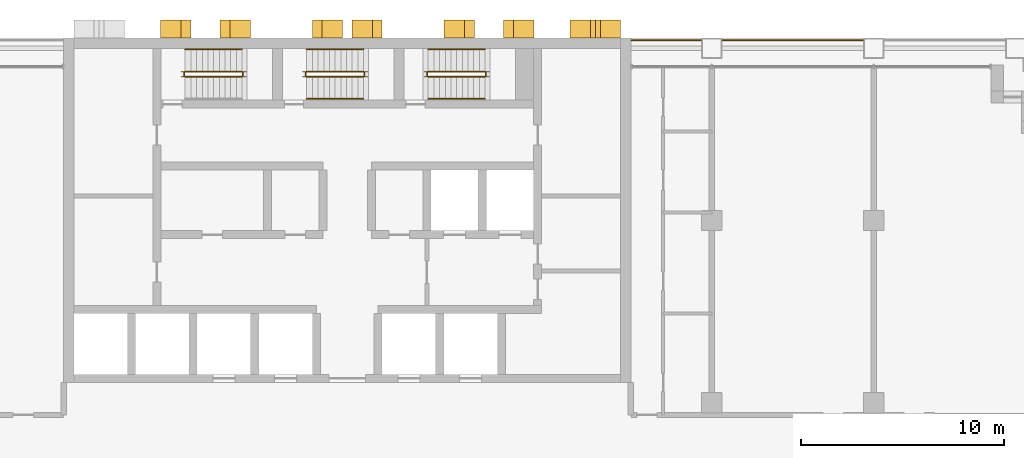
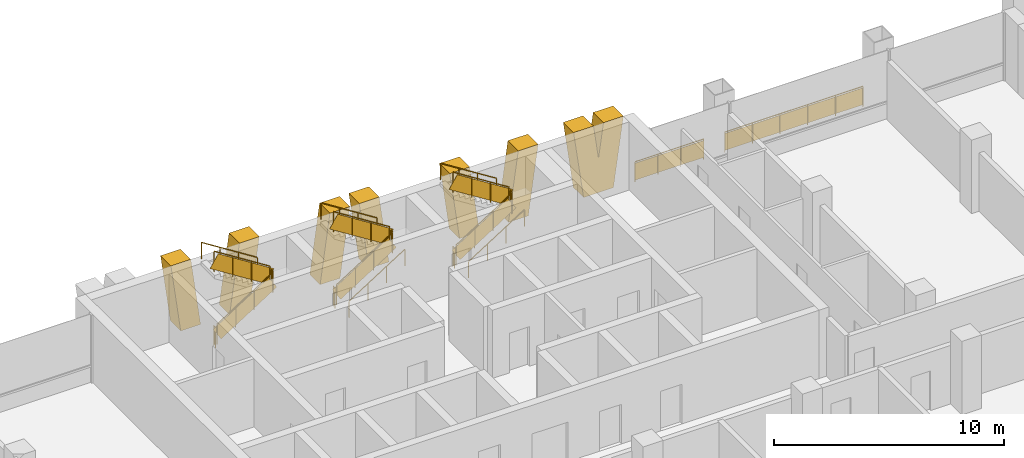
# One storey, part 12 of 13: 19 railings, 7 shading devices.
"""IFC4 building model written with IfcOpenShell, lengths in metres."""

from ifc_helpers import new_model, si_unit, direction, frame, origin, origin_2d, place, context, subcontext, project, spatial, polyline, rectangle, circle, outline, extrude, material, layer, layer_set, type_object, element, save


model = new_model("IFC4")

# Units and contexts
model_context = context("Model", 3, precision=1e-05, world=origin(), true_north=direction((0.0, 1.0)))
body_context = subcontext(model_context, "Body", "Model", "MODEL_VIEW")
ifc_project = project(units=[si_unit("LENGTHUNIT", "METRE"), si_unit("AREAUNIT", "SQUARE_METRE"), si_unit("VOLUMEUNIT", "CUBIC_METRE"), si_unit("PLANEANGLEUNIT", "RADIAN"), si_unit("MASSUNIT", "GRAM", prefix="KILO")], contexts=[model_context])

# Site, building, storey
site_placement = place(None, origin())
site = spatial("IfcSite", under=ifc_project, at=site_placement, CompositionType="ELEMENT")
building_placement = place(site_placement, origin())
building = spatial("IfcBuilding", under=site, at=building_placement, Name="Vidyagriha Tower", CompositionType="ELEMENT")
storey_placement = place(building_placement, frame((0.0, 0.0, 37.699951171875)))
storey = spatial("IfcBuildingStorey", under=building, at=storey_placement, Name="L09", CompositionType="ELEMENT", Elevation=37.699951171875)

# Shading devices
ifc_material_1 = material(Name="Precast concrete C40/50 with brick facing", Category="concrete")
ifc_layer_1 = layer(ifc_material_1, 1.0)
ifc_layer_set_1 = layer_set([ifc_layer_1], Name="Precast concrete C40/50 with brick facing")
shading_device_type_1 = type_object("IfcShadingDeviceType", Name="Brick-faced rear rib arm leaning 8 degrees", PredefinedType="USERDEFINED", material=ifc_layer_set_1)
shading_device_1_placement = place(storey_placement, frame((6.272705078125, 20.449951171875, 0.0), z_axis=(0.0, 0.0, 1.0), x_axis=(-1.0, 0.0, 0.0)))
element("IfcShadingDevice", 1, at=shading_device_1_placement, inside=storey, type_object=shading_device_type_1, Name="Rear rib arm L09 R08.2a", ObjectType="BLADE FIN", PredefinedType="USERDEFINED", context=body_context, shape_type="SweptSolid", body=[
    extrude(outline(polyline([(0.0, 0.0), (1.0, 0.0), (1.490966796875, 3.6201171875), (0.490966796875, 3.6201171875), (0.0, 0.0)])), frame((0.0, 0.449951171875, 0.0), z_axis=(0.0, -1.0, 0.0), x_axis=(1.0, 0.0, 0.0)), (0.0, 0.0, 1.0), 0.89990234375),
])
shading_device_2_placement = place(storey_placement, frame((9.21826171875, 20.449951171875, 0.0), z_axis=(0.0, 0.0, 1.0), x_axis=(-1.0, 0.0, 0.0)))
element("IfcShadingDevice", 2, at=shading_device_2_placement, inside=storey, type_object=shading_device_type_1, Name="Rear rib arm L09 R08.2b", ObjectType="BLADE FIN", PredefinedType="USERDEFINED", context=body_context, shape_type="SweptSolid", body=[
    extrude(outline(polyline([(0.490966796875, 0.0), (1.490966796875, 0.0), (1.0, 3.6201171875), (0.0, 3.6201171875), (0.490966796875, 0.0)])), frame((0.0, 0.449951171875, 0.0), z_axis=(0.0, -1.0, 0.0), x_axis=(1.0, 0.0, 0.0)), (0.0, 0.0, 1.0), 0.89990234375),
])
shading_device_3_placement = place(storey_placement, frame((1.727294921875, 20.449951171875, 0.0), z_axis=(0.0, 0.0, 1.0), x_axis=(-1.0, 0.0, 0.0)))
element("IfcShadingDevice", 3, at=shading_device_3_placement, inside=storey, type_object=shading_device_type_1, Name="Rear rib arm L09 R08.3a", ObjectType="BLADE FIN", PredefinedType="USERDEFINED", context=body_context, shape_type="SweptSolid", body=[
    extrude(outline(polyline([(0.0, 0.0), (1.0, 0.0), (1.490966796875, 3.6201171875), (0.490966796875, 3.6201171875), (0.0, 0.0)])), frame((0.0, 0.449951171875, 0.0), z_axis=(0.0, -1.0, 0.0), x_axis=(1.0, 0.0, 0.0)), (0.0, 0.0, 1.0), 0.89990234375),
])
shading_device_4_placement = place(storey_placement, frame((-0.236328125, 20.449951171875, 0.0), z_axis=(0.0, 0.0, 1.0), x_axis=(-1.0, 0.0, 0.0)))
element("IfcShadingDevice", 4, at=shading_device_4_placement, inside=storey, type_object=shading_device_type_1, Name="Rear rib arm L09 R08.3b", ObjectType="BLADE FIN", PredefinedType="USERDEFINED", context=body_context, shape_type="SweptSolid", body=[
    extrude(outline(polyline([(0.490966796875, 0.0), (1.490966796875, 0.0), (1.0, 3.6201171875), (0.0, 3.6201171875), (0.490966796875, 0.0)])), frame((0.0, 0.449951171875, 0.0), z_axis=(0.0, -1.0, 0.0), x_axis=(1.0, 0.0, 0.0)), (0.0, 0.0, 1.0), 0.89990234375),
])
shading_device_5_placement = place(storey_placement, frame((-7.727294921875, 20.449951171875, 0.0), z_axis=(0.0, 0.0, 1.0), x_axis=(-1.0, 0.0, 0.0)))
element("IfcShadingDevice", 5, at=shading_device_5_placement, inside=storey, type_object=shading_device_type_1, Name="Rear rib arm L09 R08.4a", ObjectType="BLADE FIN", PredefinedType="USERDEFINED", context=body_context, shape_type="SweptSolid", body=[
    extrude(outline(polyline([(0.0, 0.0), (1.0, 0.0), (1.490966796875, 3.6201171875), (0.490966796875, 3.6201171875), (0.0, 0.0)])), frame((0.0, 0.449951171875, 0.0), z_axis=(0.0, -1.0, 0.0), x_axis=(1.0, 0.0, 0.0)), (0.0, 0.0, 1.0), 0.89990234375),
])
shading_device_6_placement = place(storey_placement, frame((-4.78173828125, 20.449951171875, 0.0), z_axis=(0.0, 0.0, 1.0), x_axis=(-1.0, 0.0, 0.0)))
element("IfcShadingDevice", 6, at=shading_device_6_placement, inside=storey, type_object=shading_device_type_1, Name="Rear rib arm L09 R08.4b", ObjectType="BLADE FIN", PredefinedType="USERDEFINED", context=body_context, shape_type="SweptSolid", body=[
    extrude(outline(polyline([(0.490966796875, 0.0), (1.490966796875, 0.0), (1.0, 3.6201171875), (0.0, 3.6201171875), (0.490966796875, 0.0)])), frame((0.0, 0.449951171875, 0.0), z_axis=(0.0, -1.0, 0.0), x_axis=(1.0, 0.0, 0.0)), (0.0, 0.0, 1.0), 0.89990234375),
])
ifc_material_2 = material(Name="Precast concrete C40/50 with brick facing", Category="concrete")
ifc_layer_2 = layer(ifc_material_2, 1.0)
ifc_layer_set_2 = layer_set([ifc_layer_2], Name="Precast concrete C40/50 with brick facing")
shading_device_type_2 = type_object("IfcShadingDeviceType", Name="Brick-faced rear rib forking 8 degrees", PredefinedType="USERDEFINED", material=ifc_layer_set_2)
shading_device_7_placement = place(storey_placement, frame((13.5, 20.449951171875, 0.0), z_axis=(0.0, 0.0, 1.0), x_axis=(-1.0, 0.0, 0.0)))
element("IfcShadingDevice", 7, at=shading_device_7_placement, inside=storey, type_object=shading_device_type_2, Name="Rear rib fork L09 R08.1a", ObjectType="BLADE FIN", PredefinedType="USERDEFINED", context=body_context, shape_type="SweptSolid", body=[
    extrude(outline(polyline([(0.5, 0.0), (2.0, 0.0), (2.5, 3.6201171875), (1.5, 3.6201171875), (1.25, 1.81005859375), (1.0, 3.6201171875), (0.0, 3.6201171875), (0.5, 0.0)])), frame((0.0, 0.449951171875, 0.0), z_axis=(0.0, -1.0, 0.0), x_axis=(1.0, 0.0, 0.0)), (0.0, 0.0, 1.0), 0.89990234375),
])

# Railings
ifc_material_3 = material(Name="Steel ASTM A500 Grade C black painted", Category="steel")
railing_type_1 = type_object("IfcRailingType", Name="Gallery guard 1100", PredefinedType="GUARDRAIL", material=ifc_material_3)
railing_1_placement = place(storey_placement, frame((14.030029296875, 19.89990234375, 0.0)))
element("IfcRailing", 8, at=railing_1_placement, inside=storey, type_object=railing_type_1, Name="Gallery guard L09 18", PredefinedType="GUARDRAIL", context=body_context, shape_type="SweptSolid", body=[
    extrude(circle(Radius=0.02490234375, at=origin_2d()), frame((0.0, 0.0, 1.0751953125), z_axis=(1.0, 0.0, 0.0), x_axis=(0.0, 1.0, 0.0)), (0.0, 0.0, 1.0), 3.43994140625),
    extrude(circle(Radius=0.02001953125, at=origin_2d()), origin(), (0.0, 0.0, 1.0), 1.050048828125),
    extrude(circle(Radius=0.02001953125, at=origin_2d()), frame((1.146728515625, 0.0, 0.0)), (0.0, 0.0, 1.0), 1.050048828125),
    extrude(circle(Radius=0.02001953125, at=origin_2d()), frame((2.293212890625, 0.0, 0.0)), (0.0, 0.0, 1.0), 1.050048828125),
    extrude(circle(Radius=0.02001953125, at=origin_2d()), frame((3.43994140625, 0.0, 0.0)), (0.0, 0.0, 1.0), 1.050048828125),
    extrude(rectangle(XDim=0.010009765625, YDim=0.900146484375, at=origin_2d()), frame((0.0, 0.0, 0.550048828125), z_axis=(1.0, 0.0, 0.0), x_axis=(0.0, 1.0, 0.0)), (0.0, 0.0, 1.0), 3.43994140625),
])
railing_2_placement = place(storey_placement, frame((18.530029296875, 19.89990234375, 0.0)))
element("IfcRailing", 9, at=railing_2_placement, inside=storey, type_object=railing_type_1, Name="Gallery guard L09 20", PredefinedType="GUARDRAIL", context=body_context, shape_type="SweptSolid", body=[
    extrude(circle(Radius=0.02490234375, at=origin_2d()), frame((0.0, 0.0, 1.0751953125), z_axis=(1.0, 0.0, 0.0), x_axis=(0.0, 1.0, 0.0)), (0.0, 0.0, 1.0), 6.93994140625),
    extrude(circle(Radius=0.02001953125, at=origin_2d()), origin(), (0.0, 0.0, 1.0), 1.050048828125),
    extrude(circle(Radius=0.02001953125, at=origin_2d()), frame((1.387939453125, 0.0, 0.0)), (0.0, 0.0, 1.0), 1.050048828125),
    extrude(circle(Radius=0.02001953125, at=origin_2d()), frame((2.77587890625, 0.0, 0.0)), (0.0, 0.0, 1.0), 1.050048828125),
    extrude(circle(Radius=0.02001953125, at=origin_2d()), frame((4.1640625, 0.0, 0.0)), (0.0, 0.0, 1.0), 1.050048828125),
    extrude(circle(Radius=0.02001953125, at=origin_2d()), frame((5.552001953125, 0.0, 0.0)), (0.0, 0.0, 1.0), 1.050048828125),
    extrude(circle(Radius=0.02001953125, at=origin_2d()), frame((6.93994140625, 0.0, 0.0)), (0.0, 0.0, 1.0), 1.050048828125),
    extrude(rectangle(XDim=0.010009765625, YDim=0.900146484375, at=origin_2d()), frame((0.0, 0.0, 0.550048828125), z_axis=(1.0, 0.0, 0.0), x_axis=(0.0, 1.0, 0.0)), (0.0, 0.0, 1.0), 6.93994140625),
])
ifc_material_4 = material(Name="Steel ASTM A500 Grade C", Category="steel")
railing_type_2 = type_object("IfcRailingType", Name="Stair guard 1100 mm, steel balustrade", PredefinedType="GUARDRAIL", material=ifc_material_4)
railing_3_placement = place(storey_placement, frame((-8.0, 18.10009765625, 0.17724609375)))
element("IfcRailing", 10, at=railing_3_placement, inside=storey, type_object=railing_type_2, Name="L09 ST1 stair guard 1", PredefinedType="GUARDRAIL", context=body_context, shape_type="SweptSolid", body=[
    extrude(circle(Radius=0.02392578125, at=origin_2d()), frame((0.0, 0.0, 1.076171875), z_axis=(0.844908973607, 0.0, 0.534910110503), x_axis=(0.0, 1.0, 0.0)), (0.0, 0.0, 1.0), 3.31396484375),
    extrude(circle(Radius=0.02099609375, at=origin_2d()), origin(), (0.0, 0.0, 1.0), 1.052001953125),
    extrude(circle(Radius=0.02099609375, at=origin_2d()), frame((0.933349609375, 0.0, 0.5908203125)), (0.0, 0.0, 1.0), 1.052001953125),
    extrude(circle(Radius=0.02099609375, at=origin_2d()), frame((1.86669921875, 0.0, 1.181884765625)), (0.0, 0.0, 1.0), 1.052001953125),
    extrude(circle(Radius=0.02099609375, at=origin_2d()), frame((2.800048828125, 0.0, 1.772705078125)), (0.0, 0.0, 1.0), 1.052001953125),
    extrude(rectangle(XDim=0.010009765625, YDim=0.76220703125, at=origin_2d()), frame((0.0, 0.0, 0.551025390625), z_axis=(0.844908973607, 0.0, 0.534910110503), x_axis=(0.0, 1.0, 0.0)), (0.0, 0.0, 1.0), 3.31396484375),
])
railing_4_placement = place(storey_placement, frame((-5.14990234375, 18.14990234375, 1.949951171875)))
element("IfcRailing", 11, at=railing_4_placement, inside=storey, type_object=railing_type_2, Name="L09 ST1 stair guard 2", PredefinedType="GUARDRAIL", context=body_context, shape_type="SweptSolid", body=[
    extrude(circle(Radius=0.02392578125, at=origin_2d()), frame((0.0, 0.0, 1.076171875), z_axis=(0.0, 1.0, 0.0), x_axis=(-1.0, 0.0, 0.0)), (0.0, 0.0, 1.0), 0.150146484375),
    extrude(circle(Radius=0.02099609375, at=origin_2d()), origin(), (0.0, 0.0, 1.0), 1.052001953125),
    extrude(circle(Radius=0.02099609375, at=origin_2d()), frame((0.0, 0.150146484375, 0.0)), (0.0, 0.0, 1.0), 1.052001953125),
    extrude(rectangle(XDim=0.010009765625, YDim=0.902099609375, at=origin_2d()), frame((0.0, 0.0, 0.551025390625), z_axis=(0.0, 1.0, 0.0), x_axis=(-1.0, 0.0, 0.0)), (0.0, 0.0, 1.0), 0.150146484375),
])
railing_5_placement = place(storey_placement, frame((-5.199951171875, 18.35009765625, 2.12744140625)))
element("IfcRailing", 12, at=railing_5_placement, inside=storey, type_object=railing_type_2, Name="L09 ST1 stair guard 3", PredefinedType="GUARDRAIL", context=body_context, shape_type="SweptSolid", body=[
    extrude(circle(Radius=0.02392578125, at=origin_2d()), frame((0.0, 0.0, 1.076171875), z_axis=(-0.844908973607, 0.0, 0.534910110503), x_axis=(0.0, -1.0, 0.0)), (0.0, 0.0, 1.0), 3.31396484375),
    extrude(circle(Radius=0.02099609375, at=origin_2d()), origin(), (0.0, 0.0, 1.0), 1.052001953125),
    extrude(circle(Radius=0.02099609375, at=origin_2d()), frame((-0.933349609375, 0.0, 0.5908203125)), (0.0, 0.0, 1.0), 1.052001953125),
    extrude(circle(Radius=0.02099609375, at=origin_2d()), frame((-1.86669921875, 0.0, 1.181884765625)), (0.0, 0.0, 1.0), 1.052001953125),
    extrude(circle(Radius=0.02099609375, at=origin_2d()), frame((-2.800048828125, 0.0, 1.772705078125)), (0.0, 0.0, 1.0), 1.052001953125),
    extrude(rectangle(XDim=0.010009765625, YDim=0.76220703125, at=origin_2d()), frame((0.0, 0.0, 0.551025390625), z_axis=(-0.844908973607, 0.0, 0.534910110503), x_axis=(0.0, -1.0, 0.0)), (0.0, 0.0, 1.0), 3.31396484375),
])
railing_6_placement = place(storey_placement, frame((-8.050048828125, 18.14990234375, 0.0)))
element("IfcRailing", 13, at=railing_6_placement, inside=storey, type_object=railing_type_2, Name="L09 ST1 stair guard 4", PredefinedType="GUARDRAIL", context=body_context, shape_type="SweptSolid", body=[
    extrude(circle(Radius=0.02392578125, at=origin_2d()), frame((0.0, 0.0, 1.076171875), z_axis=(0.0, 1.0, 0.0), x_axis=(-1.0, 0.0, 0.0)), (0.0, 0.0, 1.0), 0.150146484375),
    extrude(circle(Radius=0.02099609375, at=origin_2d()), origin(), (0.0, 0.0, 1.0), 1.052001953125),
    extrude(circle(Radius=0.02099609375, at=origin_2d()), frame((0.0, 0.150146484375, 0.0)), (0.0, 0.0, 1.0), 1.052001953125),
    extrude(rectangle(XDim=0.010009765625, YDim=0.902099609375, at=origin_2d()), frame((0.0, 0.0, 0.551025390625), z_axis=(0.0, 1.0, 0.0), x_axis=(-1.0, 0.0, 0.0)), (0.0, 0.0, 1.0), 0.150146484375),
])
railing_7_placement = place(storey_placement, frame((-2.0, 18.10009765625, 0.17724609375)))
element("IfcRailing", 14, at=railing_7_placement, inside=storey, type_object=railing_type_2, Name="L09 ST2 stair guard 1", PredefinedType="GUARDRAIL", context=body_context, shape_type="SweptSolid", body=[
    extrude(circle(Radius=0.02392578125, at=origin_2d()), frame((0.0, 0.0, 1.076171875), z_axis=(0.844908973607, 0.0, 0.534910110503), x_axis=(0.0, 1.0, 0.0)), (0.0, 0.0, 1.0), 3.31396484375),
    extrude(circle(Radius=0.02099609375, at=origin_2d()), origin(), (0.0, 0.0, 1.0), 1.052001953125),
    extrude(circle(Radius=0.02099609375, at=origin_2d()), frame((0.933349609375, 0.0, 0.5908203125)), (0.0, 0.0, 1.0), 1.052001953125),
    extrude(circle(Radius=0.02099609375, at=origin_2d()), frame((1.86669921875, 0.0, 1.181884765625)), (0.0, 0.0, 1.0), 1.052001953125),
    extrude(circle(Radius=0.02099609375, at=origin_2d()), frame((2.800048828125, 0.0, 1.772705078125)), (0.0, 0.0, 1.0), 1.052001953125),
    extrude(rectangle(XDim=0.010009765625, YDim=0.76220703125, at=origin_2d()), frame((0.0, 0.0, 0.551025390625), z_axis=(0.844908973607, 0.0, 0.534910110503), x_axis=(0.0, 1.0, 0.0)), (0.0, 0.0, 1.0), 3.31396484375),
])
railing_8_placement = place(storey_placement, frame((0.85009765625, 18.14990234375, 1.949951171875)))
element("IfcRailing", 15, at=railing_8_placement, inside=storey, type_object=railing_type_2, Name="L09 ST2 stair guard 2", PredefinedType="GUARDRAIL", context=body_context, shape_type="SweptSolid", body=[
    extrude(circle(Radius=0.02392578125, at=origin_2d()), frame((0.0, 0.0, 1.076171875), z_axis=(0.0, 1.0, 0.0), x_axis=(-1.0, 0.0, 0.0)), (0.0, 0.0, 1.0), 0.150146484375),
    extrude(circle(Radius=0.02099609375, at=origin_2d()), origin(), (0.0, 0.0, 1.0), 1.052001953125),
    extrude(circle(Radius=0.02099609375, at=origin_2d()), frame((0.0, 0.150146484375, 0.0)), (0.0, 0.0, 1.0), 1.052001953125),
    extrude(rectangle(XDim=0.010009765625, YDim=0.902099609375, at=origin_2d()), frame((0.0, 0.0, 0.551025390625), z_axis=(0.0, 1.0, 0.0), x_axis=(-1.0, 0.0, 0.0)), (0.0, 0.0, 1.0), 0.150146484375),
])
railing_9_placement = place(storey_placement, frame((0.800048828125, 18.35009765625, 2.12744140625)))
element("IfcRailing", 16, at=railing_9_placement, inside=storey, type_object=railing_type_2, Name="L09 ST2 stair guard 3", PredefinedType="GUARDRAIL", context=body_context, shape_type="SweptSolid", body=[
    extrude(circle(Radius=0.02392578125, at=origin_2d()), frame((0.0, 0.0, 1.076171875), z_axis=(-0.844908973607, 0.0, 0.534910110503), x_axis=(0.0, -1.0, 0.0)), (0.0, 0.0, 1.0), 3.31396484375),
    extrude(circle(Radius=0.02099609375, at=origin_2d()), origin(), (0.0, 0.0, 1.0), 1.052001953125),
    extrude(circle(Radius=0.02099609375, at=origin_2d()), frame((-0.933349609375, 0.0, 0.5908203125)), (0.0, 0.0, 1.0), 1.052001953125),
    extrude(circle(Radius=0.02099609375, at=origin_2d()), frame((-1.86669921875, 0.0, 1.181884765625)), (0.0, 0.0, 1.0), 1.052001953125),
    extrude(circle(Radius=0.02099609375, at=origin_2d()), frame((-2.800048828125, 0.0, 1.772705078125)), (0.0, 0.0, 1.0), 1.052001953125),
    extrude(rectangle(XDim=0.010009765625, YDim=0.76220703125, at=origin_2d()), frame((0.0, 0.0, 0.551025390625), z_axis=(-0.844908973607, 0.0, 0.534910110503), x_axis=(0.0, -1.0, 0.0)), (0.0, 0.0, 1.0), 3.31396484375),
])
railing_10_placement = place(storey_placement, frame((-2.050048828125, 18.14990234375, 0.0)))
element("IfcRailing", 17, at=railing_10_placement, inside=storey, type_object=railing_type_2, Name="L09 ST2 stair guard 4", PredefinedType="GUARDRAIL", context=body_context, shape_type="SweptSolid", body=[
    extrude(circle(Radius=0.02392578125, at=origin_2d()), frame((0.0, 0.0, 1.076171875), z_axis=(0.0, 1.0, 0.0), x_axis=(-1.0, 0.0, 0.0)), (0.0, 0.0, 1.0), 0.150146484375),
    extrude(circle(Radius=0.02099609375, at=origin_2d()), origin(), (0.0, 0.0, 1.0), 1.052001953125),
    extrude(circle(Radius=0.02099609375, at=origin_2d()), frame((0.0, 0.150146484375, 0.0)), (0.0, 0.0, 1.0), 1.052001953125),
    extrude(rectangle(XDim=0.010009765625, YDim=0.902099609375, at=origin_2d()), frame((0.0, 0.0, 0.551025390625), z_axis=(0.0, 1.0, 0.0), x_axis=(-1.0, 0.0, 0.0)), (0.0, 0.0, 1.0), 0.150146484375),
])
railing_11_placement = place(storey_placement, frame((4.0, 18.10009765625, 0.17724609375)))
element("IfcRailing", 18, at=railing_11_placement, inside=storey, type_object=railing_type_2, Name="L09 ST3 stair guard 1", PredefinedType="GUARDRAIL", context=body_context, shape_type="SweptSolid", body=[
    extrude(circle(Radius=0.02392578125, at=origin_2d()), frame((0.0, 0.0, 1.076171875), z_axis=(0.844908973607, 0.0, 0.534910110503), x_axis=(0.0, 1.0, 0.0)), (0.0, 0.0, 1.0), 3.31396484375),
    extrude(circle(Radius=0.02099609375, at=origin_2d()), origin(), (0.0, 0.0, 1.0), 1.052001953125),
    extrude(circle(Radius=0.02099609375, at=origin_2d()), frame((0.933349609375, 0.0, 0.5908203125)), (0.0, 0.0, 1.0), 1.052001953125),
    extrude(circle(Radius=0.02099609375, at=origin_2d()), frame((1.86669921875, 0.0, 1.181884765625)), (0.0, 0.0, 1.0), 1.052001953125),
    extrude(circle(Radius=0.02099609375, at=origin_2d()), frame((2.800048828125, 0.0, 1.772705078125)), (0.0, 0.0, 1.0), 1.052001953125),
    extrude(rectangle(XDim=0.010009765625, YDim=0.76220703125, at=origin_2d()), frame((0.0, 0.0, 0.551025390625), z_axis=(0.844908973607, 0.0, 0.534910110503), x_axis=(0.0, 1.0, 0.0)), (0.0, 0.0, 1.0), 3.31396484375),
])
railing_12_placement = place(storey_placement, frame((6.85009765625, 18.14990234375, 1.949951171875)))
element("IfcRailing", 19, at=railing_12_placement, inside=storey, type_object=railing_type_2, Name="L09 ST3 stair guard 2", PredefinedType="GUARDRAIL", context=body_context, shape_type="SweptSolid", body=[
    extrude(circle(Radius=0.02392578125, at=origin_2d()), frame((0.0, 0.0, 1.076171875), z_axis=(0.0, 1.0, 0.0), x_axis=(-1.0, 0.0, 0.0)), (0.0, 0.0, 1.0), 0.150146484375),
    extrude(circle(Radius=0.02099609375, at=origin_2d()), origin(), (0.0, 0.0, 1.0), 1.052001953125),
    extrude(circle(Radius=0.02099609375, at=origin_2d()), frame((0.0, 0.150146484375, 0.0)), (0.0, 0.0, 1.0), 1.052001953125),
    extrude(rectangle(XDim=0.010009765625, YDim=0.902099609375, at=origin_2d()), frame((0.0, 0.0, 0.551025390625), z_axis=(0.0, 1.0, 0.0), x_axis=(-1.0, 0.0, 0.0)), (0.0, 0.0, 1.0), 0.150146484375),
])
railing_13_placement = place(storey_placement, frame((6.800048828125, 18.35009765625, 2.12744140625)))
element("IfcRailing", 20, at=railing_13_placement, inside=storey, type_object=railing_type_2, Name="L09 ST3 stair guard 3", PredefinedType="GUARDRAIL", context=body_context, shape_type="SweptSolid", body=[
    extrude(circle(Radius=0.02392578125, at=origin_2d()), frame((0.0, 0.0, 1.076171875), z_axis=(-0.844908973607, 0.0, 0.534910110503), x_axis=(0.0, -1.0, 0.0)), (0.0, 0.0, 1.0), 3.31396484375),
    extrude(circle(Radius=0.02099609375, at=origin_2d()), origin(), (0.0, 0.0, 1.0), 1.052001953125),
    extrude(circle(Radius=0.02099609375, at=origin_2d()), frame((-0.933349609375, 0.0, 0.5908203125)), (0.0, 0.0, 1.0), 1.052001953125),
    extrude(circle(Radius=0.02099609375, at=origin_2d()), frame((-1.86669921875, 0.0, 1.181884765625)), (0.0, 0.0, 1.0), 1.052001953125),
    extrude(circle(Radius=0.02099609375, at=origin_2d()), frame((-2.800048828125, 0.0, 1.772705078125)), (0.0, 0.0, 1.0), 1.052001953125),
    extrude(rectangle(XDim=0.010009765625, YDim=0.76220703125, at=origin_2d()), frame((0.0, 0.0, 0.551025390625), z_axis=(-0.844908973607, 0.0, 0.534910110503), x_axis=(0.0, -1.0, 0.0)), (0.0, 0.0, 1.0), 3.31396484375),
])
railing_14_placement = place(storey_placement, frame((3.949951171875, 18.14990234375, 0.0)))
element("IfcRailing", 21, at=railing_14_placement, inside=storey, type_object=railing_type_2, Name="L09 ST3 stair guard 4", PredefinedType="GUARDRAIL", context=body_context, shape_type="SweptSolid", body=[
    extrude(circle(Radius=0.02392578125, at=origin_2d()), frame((0.0, 0.0, 1.076171875), z_axis=(0.0, 1.0, 0.0), x_axis=(-1.0, 0.0, 0.0)), (0.0, 0.0, 1.0), 0.150146484375),
    extrude(circle(Radius=0.02099609375, at=origin_2d()), origin(), (0.0, 0.0, 1.0), 1.052001953125),
    extrude(circle(Radius=0.02099609375, at=origin_2d()), frame((0.0, 0.150146484375, 0.0)), (0.0, 0.0, 1.0), 1.052001953125),
    extrude(rectangle(XDim=0.010009765625, YDim=0.902099609375, at=origin_2d()), frame((0.0, 0.0, 0.551025390625), z_axis=(0.0, 1.0, 0.0), x_axis=(-1.0, 0.0, 0.0)), (0.0, 0.0, 1.0), 0.150146484375),
])
ifc_material_5 = material(Name="Steel ASTM A500 Grade C", Category="steel")
railing_type_3 = type_object("IfcRailingType", Name="Stair handrail 900 mm, steel", PredefinedType="HANDRAIL", material=ifc_material_5)
railing_15_placement = place(storey_placement, frame((-5.199951171875, 19.449951171875, 2.12744140625)))
element("IfcRailing", 22, at=railing_15_placement, inside=storey, type_object=railing_type_3, Name="L09 ST1 stair handrail 2", PredefinedType="HANDRAIL", context=body_context, shape_type="SweptSolid", body=[
    extrude(circle(Radius=0.02392578125, at=origin_2d()), frame((0.0, 0.0, 0.8759765625), z_axis=(-0.844908973607, 0.0, 0.534910110503), x_axis=(0.0, -1.0, 0.0)), (0.0, 0.0, 1.0), 3.31396484375),
    extrude(circle(Radius=0.02099609375, at=origin_2d()), origin(), (0.0, 0.0, 1.0), 0.851806640625),
    extrude(circle(Radius=0.02099609375, at=origin_2d()), frame((-0.933349609375, 0.0, 0.5908203125)), (0.0, 0.0, 1.0), 0.851806640625),
    extrude(circle(Radius=0.02099609375, at=origin_2d()), frame((-1.86669921875, 0.0, 1.181884765625)), (0.0, 0.0, 1.0), 0.851806640625),
    extrude(circle(Radius=0.02099609375, at=origin_2d()), frame((-2.800048828125, 0.0, 1.772705078125)), (0.0, 0.0, 1.0), 0.851806640625),
])
railing_16_placement = place(storey_placement, frame((-2.0, 17.0, 0.17724609375)))
element("IfcRailing", 23, at=railing_16_placement, inside=storey, type_object=railing_type_3, Name="L09 ST2 stair handrail 1", PredefinedType="HANDRAIL", context=body_context, shape_type="SweptSolid", body=[
    extrude(circle(Radius=0.02392578125, at=origin_2d()), frame((0.0, 0.0, 0.8759765625), z_axis=(0.844908973607, 0.0, 0.534910110503), x_axis=(0.0, 1.0, 0.0)), (0.0, 0.0, 1.0), 3.31396484375),
    extrude(circle(Radius=0.02099609375, at=origin_2d()), origin(), (0.0, 0.0, 1.0), 0.851806640625),
    extrude(circle(Radius=0.02099609375, at=origin_2d()), frame((0.933349609375, 0.0, 0.5908203125)), (0.0, 0.0, 1.0), 0.851806640625),
    extrude(circle(Radius=0.02099609375, at=origin_2d()), frame((1.86669921875, 0.0, 1.181884765625)), (0.0, 0.0, 1.0), 0.851806640625),
    extrude(circle(Radius=0.02099609375, at=origin_2d()), frame((2.800048828125, 0.0, 1.772705078125)), (0.0, 0.0, 1.0), 0.851806640625),
])
railing_17_placement = place(storey_placement, frame((0.800048828125, 19.449951171875, 2.12744140625)))
element("IfcRailing", 24, at=railing_17_placement, inside=storey, type_object=railing_type_3, Name="L09 ST2 stair handrail 2", PredefinedType="HANDRAIL", context=body_context, shape_type="SweptSolid", body=[
    extrude(circle(Radius=0.02392578125, at=origin_2d()), frame((0.0, 0.0, 0.8759765625), z_axis=(-0.844908973607, 0.0, 0.534910110503), x_axis=(0.0, -1.0, 0.0)), (0.0, 0.0, 1.0), 3.31396484375),
    extrude(circle(Radius=0.02099609375, at=origin_2d()), origin(), (0.0, 0.0, 1.0), 0.851806640625),
    extrude(circle(Radius=0.02099609375, at=origin_2d()), frame((-0.933349609375, 0.0, 0.5908203125)), (0.0, 0.0, 1.0), 0.851806640625),
    extrude(circle(Radius=0.02099609375, at=origin_2d()), frame((-1.86669921875, 0.0, 1.181884765625)), (0.0, 0.0, 1.0), 0.851806640625),
    extrude(circle(Radius=0.02099609375, at=origin_2d()), frame((-2.800048828125, 0.0, 1.772705078125)), (0.0, 0.0, 1.0), 0.851806640625),
])
railing_18_placement = place(storey_placement, frame((4.0, 17.0, 0.17724609375)))
element("IfcRailing", 25, at=railing_18_placement, inside=storey, type_object=railing_type_3, Name="L09 ST3 stair handrail 1", PredefinedType="HANDRAIL", context=body_context, shape_type="SweptSolid", body=[
    extrude(circle(Radius=0.02392578125, at=origin_2d()), frame((0.0, 0.0, 0.8759765625), z_axis=(0.844908973607, 0.0, 0.534910110503), x_axis=(0.0, 1.0, 0.0)), (0.0, 0.0, 1.0), 3.31396484375),
    extrude(circle(Radius=0.02099609375, at=origin_2d()), origin(), (0.0, 0.0, 1.0), 0.851806640625),
    extrude(circle(Radius=0.02099609375, at=origin_2d()), frame((0.933349609375, 0.0, 0.5908203125)), (0.0, 0.0, 1.0), 0.851806640625),
    extrude(circle(Radius=0.02099609375, at=origin_2d()), frame((1.86669921875, 0.0, 1.181884765625)), (0.0, 0.0, 1.0), 0.851806640625),
    extrude(circle(Radius=0.02099609375, at=origin_2d()), frame((2.800048828125, 0.0, 1.772705078125)), (0.0, 0.0, 1.0), 0.851806640625),
])
railing_19_placement = place(storey_placement, frame((6.800048828125, 19.449951171875, 2.12744140625)))
element("IfcRailing", 26, at=railing_19_placement, inside=storey, type_object=railing_type_3, Name="L09 ST3 stair handrail 2", PredefinedType="HANDRAIL", context=body_context, shape_type="SweptSolid", body=[
    extrude(circle(Radius=0.02392578125, at=origin_2d()), frame((0.0, 0.0, 0.8759765625), z_axis=(-0.844908973607, 0.0, 0.534910110503), x_axis=(0.0, -1.0, 0.0)), (0.0, 0.0, 1.0), 3.31396484375),
    extrude(circle(Radius=0.02099609375, at=origin_2d()), origin(), (0.0, 0.0, 1.0), 0.851806640625),
    extrude(circle(Radius=0.02099609375, at=origin_2d()), frame((-0.933349609375, 0.0, 0.5908203125)), (0.0, 0.0, 1.0), 0.851806640625),
    extrude(circle(Radius=0.02099609375, at=origin_2d()), frame((-1.86669921875, 0.0, 1.181884765625)), (0.0, 0.0, 1.0), 0.851806640625),
    extrude(circle(Radius=0.02099609375, at=origin_2d()), frame((-2.800048828125, 0.0, 1.772705078125)), (0.0, 0.0, 1.0), 0.851806640625),
])

save(model, "model.ifc")
